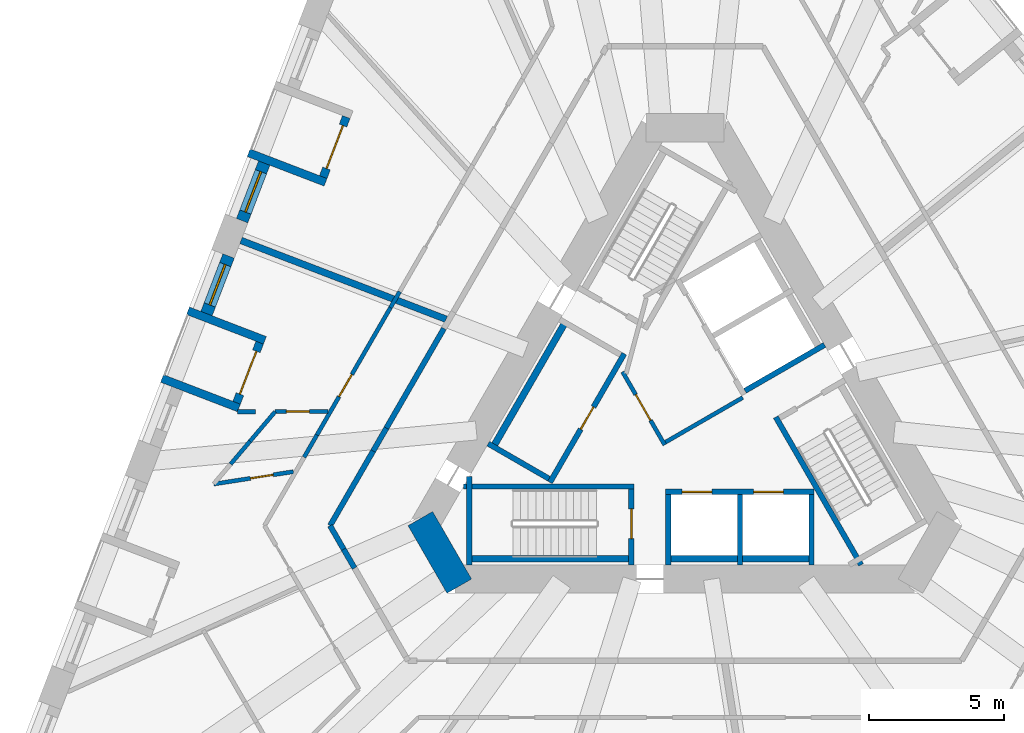
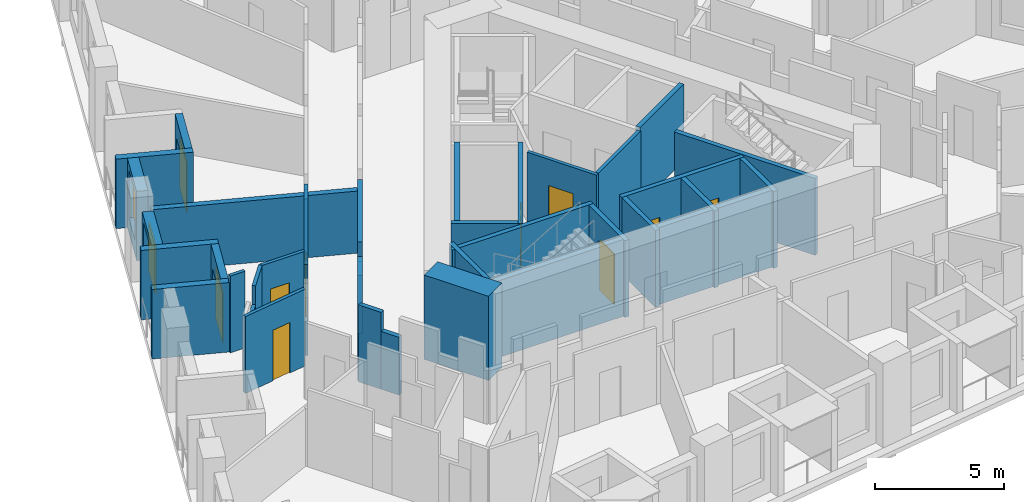
# One storey, part 4 of 14: 38 walls, 10 doors, 2 windows, 12 openings.
"""IFC4 building model written with IfcOpenShell, lengths in metres."""

from ifc_helpers import new_model, si_unit, direction, frame, frame_2d, origin, place, context, subcontext, project, spatial, rectangle, extrude, material, layer, layer_set, type_object, element, fill, save


model = new_model("IFC4")

# Units and contexts
model_context = context("Model", 3, precision=1e-05, world=origin(), true_north=direction((0.0, 1.0)))
body_context = subcontext(model_context, "Body", "Model", "MODEL_VIEW")
ifc_project = project(units=[si_unit("LENGTHUNIT", "METRE"), si_unit("AREAUNIT", "SQUARE_METRE"), si_unit("VOLUMEUNIT", "CUBIC_METRE"), si_unit("PLANEANGLEUNIT", "RADIAN"), si_unit("MASSUNIT", "GRAM", prefix="KILO")], contexts=[model_context])

# Site, building, storey
site_placement = place(None, origin())
site = spatial("IfcSite", under=ifc_project, at=site_placement, CompositionType="ELEMENT")
building_placement = place(site_placement, origin())
building = spatial("IfcBuilding", under=site, at=building_placement, Name="Tramontana Tower", CompositionType="ELEMENT")
storey_placement = place(building_placement, frame((0.0, 0.0, 55.199951171875)))
storey = spatial("IfcBuildingStorey", under=building, at=storey_placement, Name="L11", CompositionType="ELEMENT", Elevation=55.199951171875)

# Walls
ifc_material_1 = material(Name="Concrete 70 MPa", Category="concrete")
ifc_layer_1 = layer(ifc_material_1, 1.050048828125)
ifc_layer_set_1 = layer_set([ifc_layer_1], Name="Core wall 1050 70 MPa")
wall_type_1 = type_object("IfcWallType", Name="Core wall 1050 70 MPa", PredefinedType="SHEAR", material=ifc_layer_set_1)
wall_1_placement = place(storey_placement, frame((-9.793212890625, -3.987548828125, 0.0), z_axis=(0.0, 0.0, 1.0), x_axis=(0.499995765644, -0.866027848477, 0.0)))
element("IfcWall", 1, at=wall_1_placement, inside=storey, type_object=wall_type_1, Name="Core wall C2 L11", PredefinedType="SHEAR", context=body_context, shape_type="SweptSolid", body=[
    extrude(rectangle(XDim=2.88671875, YDim=1.050048828125, at=frame_2d((1.443359375, 0.0))), origin(), (0.0, 0.0, 1.0), 4.0),
])
ifc_material_2 = material(Name="Blockwork", Category="masonry")
ifc_layer_2 = layer(ifc_material_2, 0.199951171875)
ifc_layer_set_2 = layer_set([ifc_layer_2], Name="ENTRY WALL 200")
wall_type_2 = type_object("IfcWallType", Name="ENTRY WALL 200", PredefinedType="SOLIDWALL", material=ifc_layer_set_2)
wall_2_placement = place(storey_placement, frame((-12.228515625, -5.819580078125, 0.0), z_axis=(0.0, 0.0, 1.0), x_axis=(-0.499923776705, 0.866069406852, 0.0)))
element("IfcWall", 2, at=wall_2_placement, inside=storey, type_object=wall_type_2, Name="Wall v10-ew3-4", PredefinedType="SOLIDWALL", context=body_context, shape_type="SweptSolid", body=[
    extrude(rectangle(XDim=0.804931640625, YDim=0.199951171875, at=frame_2d((0.40234375, 0.0))), origin(), (0.0, 0.0, 1.0), 2.75),
])
wall_3_placement = place(storey_placement, frame((-12.630859375, -5.12255859375, 0.0), z_axis=(0.0, 0.0, 1.0), x_axis=(-0.500099969036, 0.865967678941, 0.0)))
element("IfcWall", 3, at=wall_3_placement, inside=storey, type_object=wall_type_2, Name="Wall v10-ew3-5", PredefinedType="SOLIDWALL", context=body_context, shape_type="SweptSolid", body=[
    extrude(rectangle(XDim=1.007568359375, YDim=0.199951171875, at=frame_2d((0.50390625, 0.0))), origin(), (0.0, 0.0, 1.0), 3.650146484375),
])
wall_4_placement = place(storey_placement, frame((-13.134765625, -4.25, 0.0), z_axis=(0.0, 0.0, 1.0), x_axis=(0.50003154259, 0.866007191896, 0.0)))
element("IfcWall", 4, at=wall_4_placement, inside=storey, type_object=wall_type_2, Name="Wall v10-ew4-0", PredefinedType="SOLIDWALL", context=body_context, shape_type="SweptSolid", body=[
    extrude(rectangle(XDim=3.190673828125, YDim=0.199951171875, at=frame_2d((1.59521484375, 0.0))), origin(), (0.0, 0.0, 1.0), 3.650146484375),
])
wall_5_placement = place(storey_placement, frame((-11.539306640625, -1.48681640625, 0.0), z_axis=(0.0, 0.0, 1.0), x_axis=(0.499966601515, 0.86604468555, 0.0)))
element("IfcWall", 5, at=wall_5_placement, inside=storey, type_object=wall_type_2, Name="Wall v10-ew4-1", PredefinedType="SOLIDWALL", context=body_context, shape_type="SweptSolid", body=[
    extrude(rectangle(XDim=0.98095703125, YDim=0.199951171875, at=frame_2d((0.490478515625, 0.0))), origin(), (0.0, 0.0, 1.0), 2.75),
])
wall_6_placement = place(storey_placement, frame((-11.048828125, -0.63720703125, 0.0), z_axis=(0.0, 0.0, 1.0), x_axis=(0.500000470374, 0.866025132214, 0.0)))
element("IfcWall", 6, at=wall_6_placement, inside=storey, type_object=wall_type_2, Name="Wall v10-ew4-2", PredefinedType="SOLIDWALL", context=body_context, shape_type="SweptSolid", body=[
    extrude(rectangle(XDim=4.2568359375, YDim=0.199951171875, at=frame_2d((2.12841796875, 0.0))), origin(), (0.0, 0.0, 1.0), 3.650146484375),
])

# Wall, opening, window
ifc_material_3 = material(Name="Precast concrete 60 MPa", Category="concrete")
ifc_layer_3 = layer(ifc_material_3, 0.449951171875)
ifc_layer_set_3 = layer_set([ifc_layer_3], Name="Precast concrete 60 MPa, 450 mm")
wall_type_3 = type_object("IfcWallType", Name="EW1 Stone-faced precast wall 450", PredefinedType="SOLIDWALL", material=ifc_layer_set_3)
wall_7_placement = place(storey_placement, frame((-15.572021484375, 9.1728515625, 0.0), z_axis=(0.0, 0.0, 1.0), x_axis=(-0.358355550725, -0.933585185864, 0.0)))
wall_7 = element("IfcWall", 7, at=wall_7_placement, inside=storey, type_object=wall_type_3, Name="External wall L11 face 0 bay 3", PredefinedType="SOLIDWALL", context=body_context, shape_type="SweptSolid", body=[
    extrude(rectangle(XDim=2.282958984375, YDim=0.449951171875, at=frame_2d((1.1416015625, 0.0))), origin(), (0.0, 0.0, 1.0), 3.300048828125),
])
opening_1_placement = place(wall_7_placement, frame((0.341552734375, 0.0, 0.699951171875)))
opening_1 = element("IfcOpeningElement", 8, at=opening_1_placement, cuts=wall_7, Name="Opening M1", PredefinedType="OPENING", context=body_context, shape_type="SweptSolid", body=[
    extrude(rectangle(XDim=1.60009765625, YDim=2.300048828125, at=frame_2d((0.800048828125, 1.14990234375))), frame((0.0, 0.23486328125, 0.0), z_axis=(0.0, -1.0, 0.0), x_axis=(1.0, 0.0, 0.0)), (0.0, 0.0, 1.0), 0.469970703125),
])
ifc_material_4 = material(Name="Aluminum frame, double glazing unit", Category="aluminium")
window_type = type_object("IfcWindowType", Name="M1 Window 1.6 x 2.3", PartitioningType="SINGLE_PANEL", PredefinedType="WINDOW", material=ifc_material_4)
window_1_placement = place(opening_1_placement, origin())
window_1 = element("IfcWindow", 9, at=window_1_placement, inside=storey, type_object=window_type, Name="Window M1 L11 face 0 module 9", OverallHeight=2.300048828125, OverallWidth=1.60009765625, PartitioningType="SINGLE_PANEL", PredefinedType="WINDOW", context=body_context, shape_type="SweptSolid", body=[
    extrude(rectangle(XDim=1.60009765625, YDim=2.300048828125, at=frame_2d((0.800048828125, 1.14990234375))), frame((0.0, 0.030029296875, 0.0), z_axis=(0.0, -1.0, 0.0), x_axis=(1.0, 0.0, 0.0)), (0.0, 0.0, 1.0), 0.06005859375),
])
fill(opening_1, window_1)

wall_8_placement = place(storey_placement, frame((-16.891845703125, 5.734375, 0.0), z_axis=(0.0, 0.0, 1.0), x_axis=(-0.358355550725, -0.933585185864, 0.0)))
wall_8 = element("IfcWall", 10, at=wall_8_placement, inside=storey, type_object=wall_type_3, Name="External wall L11 face 0 bay 4", PredefinedType="SOLIDWALL", context=body_context, shape_type="SweptSolid", body=[
    extrude(rectangle(XDim=2.282958984375, YDim=0.449951171875, at=frame_2d((1.1416015625, 0.0))), origin(), (0.0, 0.0, 1.0), 3.300048828125),
])
opening_2_placement = place(wall_8_placement, frame((0.341552734375, 0.0, 0.699951171875)))
opening_2 = element("IfcOpeningElement", 11, at=opening_2_placement, cuts=wall_8, Name="Opening M1", PredefinedType="OPENING", context=body_context, shape_type="SweptSolid", body=[
    extrude(rectangle(XDim=1.60009765625, YDim=2.300048828125, at=frame_2d((0.800048828125, 1.14990234375))), frame((0.0, 0.23486328125, 0.0), z_axis=(0.0, -1.0, 0.0), x_axis=(1.0, 0.0, 0.0)), (0.0, 0.0, 1.0), 0.469970703125),
])
window_2_placement = place(opening_2_placement, origin())
window_2 = element("IfcWindow", 12, at=window_2_placement, inside=storey, type_object=window_type, Name="Window M1 L11 face 0 module 10", OverallHeight=2.300048828125, OverallWidth=1.60009765625, PartitioningType="SINGLE_PANEL", PredefinedType="WINDOW", context=body_context, shape_type="SweptSolid", body=[
    extrude(rectangle(XDim=1.60009765625, YDim=2.300048828125, at=frame_2d((0.800048828125, 1.14990234375))), frame((0.0, 0.030029296875, 0.0), z_axis=(0.0, -1.0, 0.0), x_axis=(1.0, 0.0, 0.0)), (0.0, 0.0, 1.0), 0.06005859375),
])
fill(opening_2, window_2)

# Wall, opening, door
ifc_material_5 = material(Name="Precast concrete 60 MPa", Category="concrete")
ifc_layer_4 = layer(ifc_material_5, 0.300048828125)
ifc_layer_set_4 = layer_set([ifc_layer_4], Name="LW1 Stone-faced loggia wall 300")
wall_type_4 = type_object("IfcWallType", Name="LW1 Stone-faced loggia wall 300", PredefinedType="SOLIDWALL", material=ifc_layer_set_4)
wall_9_placement = place(storey_placement, frame((-12.533447265625, 10.880126953125, 0.0), z_axis=(0.0, 0.0, 1.0), x_axis=(-0.35838856932, -0.933572511046, 0.0)))
wall_9 = element("IfcWall", 13, at=wall_9_placement, inside=storey, type_object=wall_type_4, Name="Loggia wall L11 G1S0.7", PredefinedType="SOLIDWALL", context=body_context, shape_type="SweptSolid", body=[
    extrude(rectangle(XDim=2.3828125, YDim=0.300048828125, at=frame_2d((1.19140625, 0.0))), origin(), (0.0, 0.0, 1.0), 3.300048828125),
])
opening_3_placement = place(wall_9_placement, frame((0.341552734375, 0.0, 0.0)))
opening_3 = element("IfcOpeningElement", 14, at=opening_3_placement, cuts=wall_9, Name="Opening BD-1S0-07", PredefinedType="OPENING", context=body_context, shape_type="SweptSolid", body=[
    extrude(rectangle(XDim=1.699951171875, YDim=2.39990234375, at=frame_2d((0.85009765625, 1.199951171875))), frame((0.0, 0.159912109375, 0.0), z_axis=(0.0, -1.0, 0.0), x_axis=(1.0, 0.0, 0.0)), (0.0, 0.0, 1.0), 0.320068359375),
])
ifc_material_6 = material(Name="Aluminum frame, double glazing unit", Category="aluminium")
door_type_1 = type_object("IfcDoorType", Name="BD1 Sliding door 1.7 x 2.4", OperationType="SLIDING_TO_LEFT", PredefinedType="DOOR", material=ifc_material_6)
door_1_placement = place(opening_3_placement, origin())
door_1 = element("IfcDoor", 15, at=door_1_placement, inside=storey, type_object=door_type_1, Name="Loggia door L11 G1S0.7", OperationType="SLIDING_TO_LEFT", OverallHeight=2.39990234375, OverallWidth=1.699951171875, PredefinedType="DOOR", context=body_context, shape_type="SweptSolid", body=[
    extrude(rectangle(XDim=1.699951171875, YDim=2.39990234375, at=frame_2d((0.85009765625, 1.199951171875))), frame((0.0, 0.02490234375, 0.0), z_axis=(0.0, -1.0, 0.0), x_axis=(1.0, 0.0, 0.0)), (0.0, 0.0, 1.0), 0.050048828125),
])
fill(opening_3, door_1)

# Wall
wall_10_placement = place(storey_placement, frame((-16.1484375, 9.5546875, 0.0), z_axis=(0.0, 0.0, 1.0), x_axis=(0.933580593625, -0.358367514161, 0.0)))
element("IfcWall", 16, at=wall_10_placement, inside=storey, type_object=wall_type_4, Name="Loggia return L11 G1S0.7b", PredefinedType="SOLIDWALL", context=body_context, shape_type="SweptSolid", body=[
    extrude(rectangle(XDim=3.050048828125, YDim=0.300048828125, at=frame_2d((1.52490234375, 0.0))), origin(), (0.0, 0.0, 1.0), 3.300048828125),
])

# Wall, opening, door
wall_11_placement = place(storey_placement, frame((-15.740478515625, 2.525634765625, 0.0), z_axis=(0.0, 0.0, 1.0), x_axis=(-0.35829926872, -0.933606787697, 0.0)))
wall_11 = element("IfcWall", 17, at=wall_11_placement, inside=storey, type_object=wall_type_4, Name="Loggia wall L11 G1S0.10", PredefinedType="SOLIDWALL", context=body_context, shape_type="SweptSolid", body=[
    extrude(rectangle(XDim=2.3828125, YDim=0.300048828125, at=frame_2d((1.19140625, 0.0))), origin(), (0.0, 0.0, 1.0), 3.300048828125),
])
opening_4_placement = place(wall_11_placement, frame((0.341552734375, 0.0, 0.0)))
opening_4 = element("IfcOpeningElement", 18, at=opening_4_placement, cuts=wall_11, Name="Opening BD-1S0-10", PredefinedType="OPENING", context=body_context, shape_type="SweptSolid", body=[
    extrude(rectangle(XDim=1.699951171875, YDim=2.39990234375, at=frame_2d((0.85009765625, 1.199951171875))), frame((0.0, 0.159912109375, 0.0), z_axis=(0.0, -1.0, 0.0), x_axis=(1.0, 0.0, 0.0)), (0.0, 0.0, 1.0), 0.320068359375),
])
door_2_placement = place(opening_4_placement, origin())
door_2 = element("IfcDoor", 19, at=door_2_placement, inside=storey, type_object=door_type_1, Name="Loggia door L11 G1S0.10", OperationType="SLIDING_TO_LEFT", OverallHeight=2.39990234375, OverallWidth=1.699951171875, PredefinedType="DOOR", context=body_context, shape_type="SweptSolid", body=[
    extrude(rectangle(XDim=1.699951171875, YDim=2.39990234375, at=frame_2d((0.85009765625, 1.199951171875))), frame((0.0, 0.02490234375, 0.0), z_axis=(0.0, -1.0, 0.0), x_axis=(1.0, 0.0, 0.0)), (0.0, 0.0, 1.0), 0.050048828125),
])
fill(opening_4, door_2)

# Walls
for number, where, z_axis, x_axis, name in (
    (20, (-18.39404296875, 3.704833984375, 0.0), (0.0, 0.0, 1.0), (0.933580593625, -0.358367514161, 0.0), "Loggia return L11 G1S0.10a"),
    (21, (-19.35546875, 1.2001953125, 0.0), (0.0, 0.0, 1.0), (0.933580593625, -0.358367514161, 0.0), "Loggia return L11 G1S0.10b"),
):
    element("IfcWall", number, at=place(storey_placement, frame(where, z_axis=z_axis, x_axis=x_axis)), inside=storey, type_object=wall_type_4, Name=name, PredefinedType="SOLIDWALL", context=body_context, shape_type="SweptSolid", body=[
        extrude(rectangle(XDim=3.050048828125, YDim=0.300048828125, at=frame_2d((1.52490234375, 0.0))), origin(), (0.0, 0.0, 1.0), 3.300048828125),
    ])

# Wall, opening, door
ifc_material_7 = material(Name="Gypsum board partition")
ifc_layer_5 = layer(ifc_material_7, 0.14990234375)
ifc_layer_set_5 = layer_set([ifc_layer_5], Name="PARTITION 150")
wall_type_5 = type_object("IfcWallType", Name="PARTITION 150", PredefinedType="PARTITIONING", material=ifc_layer_set_5)
wall_12_placement = place(storey_placement, frame((-0.744140625, -1.260986328125, 0.0), z_axis=(0.0, 0.0, 1.0), x_axis=(-0.500004234368, 0.866022959057, 0.0)))
wall_12 = element("IfcWall", 22, at=wall_12_placement, inside=storey, type_object=wall_type_5, Name="Wall ff-front", PredefinedType="PARTITIONING", context=body_context, shape_type="SweptSolid", body=[
    extrude(rectangle(XDim=3.125, YDim=0.14990234375, at=frame_2d((1.5625, 0.0))), origin(), (0.0, 0.0, 1.0), 3.650146484375),
])
opening_5_placement = place(wall_12_placement, frame((1.050048828125, 0.0, 0.0)))
opening_5 = element("IfcOpeningElement", 23, at=opening_5_placement, cuts=wall_12, Name="Opening FD1", PredefinedType="OPENING", context=body_context, shape_type="SweptSolid", body=[
    extrude(rectangle(XDim=1.10009765625, YDim=2.39990234375, at=frame_2d((0.550048828125, 1.199951171875))), frame((0.0, 0.0849609375, 0.0), z_axis=(0.0, -1.0, 0.0), x_axis=(1.0, 0.0, 0.0)), (0.0, 0.0, 1.0), 0.169921875),
])
ifc_material_8 = material(Name="Painted timber", Category="wood")
door_type_2 = type_object("IfcDoorType", Name="DOOR ENTRY 1100", OperationType="SINGLE_SWING_LEFT", PredefinedType="DOOR", material=ifc_material_8)
door_3_placement = place(opening_5_placement, origin())
door_3 = element("IfcDoor", 24, at=door_3_placement, inside=storey, type_object=door_type_2, Name="Door FD1", OperationType="SINGLE_SWING_RIGHT", OverallHeight=2.39990234375, OverallWidth=1.10009765625, PredefinedType="DOOR", context=body_context, shape_type="SweptSolid", body=[
    extrude(rectangle(XDim=1.10009765625, YDim=2.39990234375, at=frame_2d((0.550048828125, 1.199951171875))), frame((0.0, 0.02490234375, 0.0), z_axis=(0.0, -1.0, 0.0), x_axis=(1.0, 0.0, 0.0)), (0.0, 0.0, 1.0), 0.050048828125),
])
fill(opening_5, door_3)

# Walls
wall_13_placement = place(storey_placement, frame((-0.716796875, -1.15869140625, 0.0), z_axis=(0.0, 0.0, 1.0), x_axis=(0.866008176907, 0.50002983664, 0.0)))
element("IfcWall", 25, at=wall_13_placement, inside=storey, type_object=wall_type_5, Name="Wall ff-end0", PredefinedType="PARTITIONING", context=body_context, shape_type="SweptSolid", body=[
    extrude(rectangle(XDim=3.300048828125, YDim=0.14990234375, at=frame_2d((1.64990234375, 0.0))), origin(), (0.0, 0.0, 1.0), 3.650146484375),
])
wall_14_placement = place(storey_placement, frame((-16.8154296875, -1.97021484375, 0.0), z_axis=(0.0, 0.0, 1.0), x_axis=(0.647233233989, 0.762292031193, 0.0)))
element("IfcWall", 26, at=wall_14_placement, inside=storey, type_object=wall_type_5, Name="Wall v10-pw01-1", PredefinedType="PARTITIONING", context=body_context, shape_type="SweptSolid", body=[
    extrude(rectangle(XDim=1.10986328125, YDim=0.14990234375, at=frame_2d((0.554931640625, 0.0))), origin(), (0.0, 0.0, 1.0), 2.75),
])
wall_15_placement = place(storey_placement, frame((-16.09716796875, -1.124267578125, 0.0), z_axis=(0.0, 0.0, 1.0), x_axis=(0.647268122874, 0.762262406991, 0.0)))
element("IfcWall", 27, at=wall_15_placement, inside=storey, type_object=wall_type_5, Name="Wall v10-pw01-2", PredefinedType="PARTITIONING", context=body_context, shape_type="SweptSolid", body=[
    extrude(rectangle(XDim=1.435302734375, YDim=0.14990234375, at=frame_2d((0.7177734375, 0.0))), origin(), (0.0, 0.0, 1.0), 3.650146484375),
])

# Wall, opening, door
wall_16_placement = place(storey_placement, frame((-17.434814453125, -2.707763671875, 0.0), z_axis=(0.0, 0.0, 1.0), x_axis=(0.988146894604, 0.153511285203, 0.0)))
wall_16 = element("IfcWall", 28, at=wall_16_placement, inside=storey, type_object=wall_type_5, Name="Wall v10-pw02", PredefinedType="PARTITIONING", context=body_context, shape_type="SweptSolid", body=[
    extrude(rectangle(XDim=2.977294921875, YDim=0.14990234375, at=frame_2d((1.48876953125, 0.0))), origin(), (0.0, 0.0, 1.0), 3.650146484375),
])
opening_6_placement = place(wall_16_placement, frame((1.3701171875, 0.0, 0.0)))
opening_6 = element("IfcOpeningElement", 29, at=opening_6_placement, cuts=wall_16, Name="Opening B1A-17", PredefinedType="OPENING", context=body_context, shape_type="SweptSolid", body=[
    extrude(rectangle(XDim=0.85009765625, YDim=2.39990234375, at=frame_2d((0.425048828125, 1.199951171875))), frame((0.0, 0.0849609375, 0.0), z_axis=(0.0, -1.0, 0.0), x_axis=(1.0, 0.0, 0.0)), (0.0, 0.0, 1.0), 0.169921875),
])
ifc_material_9 = material(Name="Painted timber", Category="wood")
door_type_3 = type_object("IfcDoorType", Name="DOOR BATH 850", OperationType="SINGLE_SWING_LEFT", PredefinedType="DOOR", material=ifc_material_9)
door_4_placement = place(opening_6_placement, origin())
door_4 = element("IfcDoor", 30, at=door_4_placement, inside=storey, type_object=door_type_3, Name="Door B1A-17", OperationType="SINGLE_SWING_LEFT", OverallHeight=2.39990234375, OverallWidth=0.85009765625, PredefinedType="DOOR", context=body_context, shape_type="SweptSolid", body=[
    extrude(rectangle(XDim=0.85009765625, YDim=2.39990234375, at=frame_2d((0.425048828125, 1.199951171875))), frame((0.0, 0.02490234375, 0.0), z_axis=(0.0, -1.0, 0.0), x_axis=(1.0, 0.0, 0.0)), (0.0, 0.0, 1.0), 0.050048828125),
])
fill(opening_6, door_4)

# Wall
wall_17_placement = place(storey_placement, frame((-16.561767578125, -0.032958984375, 0.0), z_axis=(0.0, 0.0, 1.0), x_axis=(0.999997583071, 0.002198602235, 0.0)))
element("IfcWall", 31, at=wall_17_placement, inside=storey, type_object=wall_type_5, Name="Wall v10-pw03", PredefinedType="PARTITIONING", context=body_context, shape_type="SweptSolid", body=[
    extrude(rectangle(XDim=0.666259765625, YDim=0.14990234375, at=frame_2d((0.3330078125, 0.0))), origin(), (0.0, 0.0, 1.0), 3.650146484375),
])

# Wall, opening, door
wall_18_placement = place(storey_placement, frame((-13.207763671875, -0.0263671875, 0.0), z_axis=(0.0, 0.0, 1.0), x_axis=(-0.999998014427, -0.00199277223, 0.0)))
wall_18 = element("IfcWall", 32, at=wall_18_placement, inside=storey, type_object=wall_type_5, Name="Wall v10-pw04", PredefinedType="PARTITIONING", context=body_context, shape_type="SweptSolid", body=[
    extrude(rectangle(XDim=1.960205078125, YDim=0.14990234375, at=frame_2d((0.97998046875, 0.0))), origin(), (0.0, 0.0, 1.0), 3.650146484375),
])
opening_7_placement = place(wall_18_placement, frame((0.6904296875, 0.0, 0.0)))
opening_7 = element("IfcOpeningElement", 33, at=opening_7_placement, cuts=wall_18, Name="Opening B1A-18", PredefinedType="OPENING", context=body_context, shape_type="SweptSolid", body=[
    extrude(rectangle(XDim=0.85009765625, YDim=2.39990234375, at=frame_2d((0.425048828125, 1.199951171875))), frame((0.0, 0.0849609375, 0.0), z_axis=(0.0, -1.0, 0.0), x_axis=(1.0, 0.0, 0.0)), (0.0, 0.0, 1.0), 0.169921875),
])
door_5_placement = place(opening_7_placement, origin())
door_5 = element("IfcDoor", 34, at=door_5_placement, inside=storey, type_object=door_type_3, Name="Door B1A-18", OperationType="SINGLE_SWING_RIGHT", OverallHeight=2.39990234375, OverallWidth=0.85009765625, PredefinedType="DOOR", context=body_context, shape_type="SweptSolid", body=[
    extrude(rectangle(XDim=0.85009765625, YDim=2.39990234375, at=frame_2d((0.425048828125, 1.199951171875))), frame((0.0, 0.02490234375, 0.0), z_axis=(0.0, -1.0, 0.0), x_axis=(1.0, 0.0, 0.0)), (0.0, 0.0, 1.0), 0.050048828125),
])
fill(opening_7, door_5)

# Wall
wall_19_placement = place(storey_placement, frame((-10.557373046875, 4.4140625, 0.0), z_axis=(0.0, 0.0, 1.0), x_axis=(-0.500134748329, -0.865947592822, 0.0)))
element("IfcWall", 35, at=wall_19_placement, inside=storey, type_object=wall_type_5, Name="Wall v10-pw16-5", PredefinedType="PARTITIONING", context=body_context, shape_type="SweptSolid", body=[
    extrude(rectangle(XDim=0.683349609375, YDim=0.14990234375, at=frame_2d((0.341796875, 0.0))), origin(), (0.0, 0.0, 1.0), 2.949951171875),
])

# Wall, opening, door
wall_20_placement = place(storey_placement, frame((-13.62060546875, -0.8916015625, 0.0), z_axis=(0.0, 0.0, 1.0), x_axis=(0.499983886315, 0.866034706825, 0.0)))
wall_20 = element("IfcWall", 36, at=wall_20_placement, inside=storey, type_object=wall_type_5, Name="Wall v10-pw16-6", PredefinedType="PARTITIONING", context=body_context, shape_type="SweptSolid", body=[
    extrude(rectangle(XDim=5.443115234375, YDim=0.14990234375, at=frame_2d((2.7216796875, 0.0))), origin(), (0.0, 0.0, 1.0), 3.650146484375),
])
opening_8_placement = place(wall_20_placement, frame((1.639404296875, 0.0, 0.0)))
opening_8 = element("IfcOpeningElement", 37, at=opening_8_placement, cuts=wall_20, Name="Opening B1A-14", PredefinedType="OPENING", context=body_context, shape_type="SweptSolid", body=[
    extrude(rectangle(XDim=0.949951171875, YDim=2.39990234375, at=frame_2d((0.47509765625, 1.199951171875))), frame((0.0, 0.0849609375, 0.0), z_axis=(0.0, -1.0, 0.0), x_axis=(1.0, 0.0, 0.0)), (0.0, 0.0, 1.0), 0.169921875),
])
ifc_material_10 = material(Name="Painted timber", Category="wood")
door_type_4 = type_object("IfcDoorType", Name="DOOR ROOM 950", OperationType="SINGLE_SWING_LEFT", PredefinedType="DOOR", material=ifc_material_10)
door_6_placement = place(opening_8_placement, origin())
door_6 = element("IfcDoor", 38, at=door_6_placement, inside=storey, type_object=door_type_4, Name="Door B1A-14", OperationType="SINGLE_SWING_RIGHT", OverallHeight=2.39990234375, OverallWidth=0.949951171875, PredefinedType="DOOR", context=body_context, shape_type="SweptSolid", body=[
    extrude(rectangle(XDim=0.949951171875, YDim=2.39990234375, at=frame_2d((0.47509765625, 1.199951171875))), frame((0.0, 0.02490234375, 0.0), z_axis=(0.0, -1.0, 0.0), x_axis=(1.0, 0.0, 0.0)), (0.0, 0.0, 1.0), 0.050048828125),
])
fill(opening_8, door_6)

# Walls
wall_21_placement = place(storey_placement, frame((-13.62060546875, -0.8916015625, 0.0), z_axis=(0.0, 0.0, 1.0), x_axis=(-0.499952260202, -0.866052964615, 0.0)))
element("IfcWall", 39, at=wall_21_placement, inside=storey, type_object=wall_type_5, Name="Wall v10-pw16-7", PredefinedType="PARTITIONING", context=body_context, shape_type="SweptSolid", body=[
    extrude(rectangle(XDim=0.9501953125, YDim=0.14990234375, at=frame_2d((0.47509765625, 0.0))), origin(), (0.0, 0.0, 1.0), 2.75),
])
ifc_material_11 = material(Name="Blockwork", Category="masonry")
ifc_layer_6 = layer(ifc_material_11, 0.25)
ifc_layer_set_6 = layer_set([ifc_layer_6], Name="PARTY WALL 250")
wall_type_6 = type_object("IfcWallType", Name="PARTY WALL 250", PredefinedType="SOLIDWALL", material=ifc_layer_set_6)
wall_22_placement = place(storey_placement, frame((-8.837890625, 3.392578125, 0.0), z_axis=(0.0, 0.0, 1.0), x_axis=(-0.933575960916, 0.358379582566, 0.0)))
element("IfcWall", 40, at=wall_22_placement, inside=storey, type_object=wall_type_6, Name="Wall v10-pw10-0", PredefinedType="SOLIDWALL", context=body_context, shape_type="SweptSolid", body=[
    extrude(rectangle(XDim=8.13330078125, YDim=0.25, at=frame_2d((4.066650390625, 0.0))), origin(), (0.0, 0.0, 1.0), 2.949951171875),
])
ifc_material_12 = material(Name="Concrete 70 MPa", Category="concrete")
ifc_layer_7 = layer(ifc_material_12, 0.25)
ifc_layer_set_7 = layer_set([ifc_layer_7], Name="Concrete 70 MPa, 250 mm")
wall_type_7 = type_object("IfcWallType", Name="RC SHAFT BACK WALL 250", PredefinedType="SOLIDWALL", material=ifc_layer_set_7)
wall_23_placement = place(storey_placement, frame((-8.080078125, -5.47509765625, 0.0), z_axis=(0.0, 0.0, 1.0), x_axis=(1.0, 0.0, 0.0)))
element("IfcWall", 41, at=wall_23_placement, inside=storey, type_object=wall_type_7, Name="Wall st2-back", PredefinedType="SOLIDWALL", context=body_context, shape_type="SweptSolid", body=[
    extrude(rectangle(XDim=6.2001953125, YDim=0.25, at=frame_2d((3.10009765625, 0.0))), origin(), (0.0, 0.0, 1.0), 3.650146484375),
])
wall_24_placement = place(storey_placement, frame((-4.386474609375, 3.352294921875, 0.0), z_axis=(0.0, 0.0, 1.0), x_axis=(-0.500015767406, -0.866016300277, 0.0)))
element("IfcWall", 42, at=wall_24_placement, inside=storey, type_object=wall_type_7, Name="Wall row0-back", PredefinedType="SOLIDWALL", context=body_context, shape_type="SweptSolid", body=[
    extrude(rectangle(XDim=5.499755859375, YDim=0.25, at=frame_2d((2.75, 0.0))), origin(), (0.0, 0.0, 1.0), 3.650146484375),
])
wall_25_placement = place(storey_placement, frame((-0.7099609375, -5.47509765625, 0.0), z_axis=(0.0, 0.0, 1.0), x_axis=(1.0, 0.0, 0.0)))
element("IfcWall", 43, at=wall_25_placement, inside=storey, type_object=wall_type_7, Name="Wall row1-back", PredefinedType="SOLIDWALL", context=body_context, shape_type="SweptSolid", body=[
    extrude(rectangle(XDim=5.5, YDim=0.25, at=frame_2d((2.75, 0.0))), origin(), (0.0, 0.0, 1.0), 3.650146484375),
])
ifc_material_13 = material(Name="Concrete 70 MPa", Category="concrete")
ifc_layer_8 = layer(ifc_material_13, 0.199951171875)
ifc_layer_set_8 = layer_set([ifc_layer_8], Name="Concrete 70 MPa, 200 mm")
wall_type_8 = type_object("IfcWallType", Name="RC STAIR AND SHAFT WALL 200", PredefinedType="SOLIDWALL", material=ifc_layer_set_8)
wall_26_placement = place(storey_placement, frame((-8.198486328125, -2.800048828125, 0.0), z_axis=(0.0, 0.0, 1.0), x_axis=(1.0, 0.0, 0.0)))
element("IfcWall", 44, at=wall_26_placement, inside=storey, type_object=wall_type_8, Name="Wall st2-front", PredefinedType="SOLIDWALL", context=body_context, shape_type="SweptSolid", body=[
    extrude(rectangle(XDim=6.318603515625, YDim=0.199951171875, at=frame_2d((3.1591796875, 0.0))), origin(), (0.0, 0.0, 1.0), 3.650146484375),
])
wall_27_placement = place(storey_placement, frame((-7.97998046875, -2.421875, 0.0), z_axis=(0.0, 0.0, 1.0), x_axis=(0.0, -1.0, 0.0)))
element("IfcWall", 45, at=wall_27_placement, inside=storey, type_object=wall_type_8, Name="Wall st2-far", PredefinedType="SOLIDWALL", context=body_context, shape_type="SweptSolid", body=[
    extrude(rectangle(XDim=3.278076171875, YDim=0.199951171875, at=frame_2d((1.63916015625, 0.0))), origin(), (0.0, 0.0, 1.0), 3.650146484375),
])

# Wall, opening, door
wall_28_placement = place(storey_placement, frame((-1.97998046875, -2.89990234375, 0.0), z_axis=(0.0, 0.0, 1.0), x_axis=(0.0, -1.0, 0.0)))
wall_28 = element("IfcWall", 46, at=wall_28_placement, inside=storey, type_object=wall_type_8, Name="Wall st2-near", PredefinedType="SOLIDWALL", context=body_context, shape_type="SweptSolid", body=[
    extrude(rectangle(XDim=2.800048828125, YDim=0.199951171875, at=frame_2d((1.39990234375, 0.0))), origin(), (0.0, 0.0, 1.0), 3.650146484375),
])
opening_9_placement = place(wall_28_placement, frame((0.72509765625, 0.0, 0.0)))
opening_9 = element("IfcOpeningElement", 47, at=opening_9_placement, cuts=wall_28, Name="Opening SD2", PredefinedType="OPENING", context=body_context, shape_type="SweptSolid", body=[
    extrude(rectangle(XDim=1.10009765625, YDim=2.39990234375, at=frame_2d((0.550048828125, 1.199951171875))), frame((0.0, 0.10986328125, 0.0), z_axis=(0.0, -1.0, 0.0), x_axis=(1.0, 0.0, 0.0)), (0.0, 0.0, 1.0), 0.219970703125),
])
ifc_material_14 = material(Name="Painted steel", Category="steel")
door_type_5 = type_object("IfcDoorType", Name="STAIR DOOR 1100", OperationType="SINGLE_SWING_LEFT", PredefinedType="DOOR", material=ifc_material_14)
door_7_placement = place(opening_9_placement, origin())
door_7 = element("IfcDoor", 48, at=door_7_placement, inside=storey, type_object=door_type_5, Name="Door SD2", OperationType="SINGLE_SWING_LEFT", OverallHeight=2.39990234375, OverallWidth=1.10009765625, PredefinedType="DOOR", context=body_context, shape_type="SweptSolid", body=[
    extrude(rectangle(XDim=1.10009765625, YDim=2.39990234375, at=frame_2d((0.550048828125, 1.199951171875))), frame((0.0, 0.02490234375, 0.0), z_axis=(0.0, -1.0, 0.0), x_axis=(1.0, 0.0, 0.0)), (0.0, 0.0, 1.0), 0.050048828125),
])
fill(opening_9, door_7)

# Wall
wall_29_placement = place(storey_placement, frame((6.524169921875, -5.699951171875, 0.0), z_axis=(0.0, 0.0, 1.0), x_axis=(-0.499995607161, 0.866027939976, 0.0)))
element("IfcWall", 49, at=wall_29_placement, inside=storey, type_object=wall_type_8, Name="Wall st3-front", PredefinedType="SOLIDWALL", context=body_context, shape_type="SweptSolid", body=[
    extrude(rectangle(XDim=6.318359375, YDim=0.199951171875, at=frame_2d((3.1591796875, 0.0))), origin(), (0.0, 0.0, 1.0), 3.650146484375),
])

# Wall, opening, door
wall_30_placement = place(storey_placement, frame((-4.9931640625, -2.648193359375, 0.0), z_axis=(0.0, 0.0, 1.0), x_axis=(0.499996545922, 0.866027397988, 0.0)))
wall_30 = element("IfcWall", 50, at=wall_30_placement, inside=storey, type_object=wall_type_8, Name="Wall row0-front", PredefinedType="SOLIDWALL", context=body_context, shape_type="SweptSolid", body=[
    extrude(rectangle(XDim=5.5, YDim=0.199951171875, at=frame_2d((2.75, 0.0))), origin(), (0.0, 0.0, 1.0), 3.650146484375),
])
opening_10_placement = place(wall_30_placement, frame((2.27490234375, 0.0, 0.0)))
opening_10 = element("IfcOpeningElement", 51, at=opening_10_placement, cuts=wall_30, Name="Opening RD-0", PredefinedType="OPENING", context=body_context, shape_type="SweptSolid", body=[
    extrude(rectangle(XDim=0.949951171875, YDim=2.39990234375, at=frame_2d((0.47509765625, 1.199951171875))), frame((0.0, 0.10986328125, 0.0), z_axis=(0.0, -1.0, 0.0), x_axis=(1.0, 0.0, 0.0)), (0.0, 0.0, 1.0), 0.219970703125),
])
door_8_placement = place(opening_10_placement, origin())
door_8 = element("IfcDoor", 52, at=door_8_placement, inside=storey, type_object=door_type_4, Name="Door RD-0", OperationType="SINGLE_SWING_LEFT", OverallHeight=2.39990234375, OverallWidth=0.949951171875, PredefinedType="DOOR", context=body_context, shape_type="SweptSolid", body=[
    extrude(rectangle(XDim=0.949951171875, YDim=2.39990234375, at=frame_2d((0.47509765625, 1.199951171875))), frame((0.0, 0.02490234375, 0.0), z_axis=(0.0, -1.0, 0.0), x_axis=(1.0, 0.0, 0.0)), (0.0, 0.0, 1.0), 0.050048828125),
])
fill(opening_10, door_8)

# Wall
wall_31_placement = place(storey_placement, frame((-5.02978515625, -2.51171875, 0.0), z_axis=(0.0, 0.0, 1.0), x_axis=(-0.865997922154, 0.500047596559, 0.0)))
element("IfcWall", 53, at=wall_31_placement, inside=storey, type_object=wall_type_8, Name="Wall row0-side2", PredefinedType="SOLIDWALL", context=body_context, shape_type="SweptSolid", body=[
    extrude(rectangle(XDim=2.599853515625, YDim=0.199951171875, at=frame_2d((1.2998046875, 0.0))), origin(), (0.0, 0.0, 1.0), 3.650146484375),
])

# Wall, openings, doors
wall_32_placement = place(storey_placement, frame((-0.7099609375, -3.0, 0.0), z_axis=(0.0, 0.0, 1.0), x_axis=(1.0, 0.0, 0.0)))
wall_32 = element("IfcWall", 54, at=wall_32_placement, inside=storey, type_object=wall_type_8, Name="Wall row1-front", PredefinedType="SOLIDWALL", context=body_context, shape_type="SweptSolid", body=[
    extrude(rectangle(XDim=5.5, YDim=0.199951171875, at=frame_2d((2.75, 0.0))), origin(), (0.0, 0.0, 1.0), 3.650146484375),
])
opening_11_placement = place(wall_32_placement, frame((0.610107421875, 0.0, 0.0)))
opening_11 = element("IfcOpeningElement", 55, at=opening_11_placement, cuts=wall_32, Name="Opening LD-S1", PredefinedType="OPENING", context=body_context, shape_type="SweptSolid", body=[
    extrude(rectangle(XDim=1.10009765625, YDim=2.10009765625, at=frame_2d((0.550048828125, 1.050048828125))), frame((0.0, 0.10986328125, 0.0), z_axis=(0.0, -1.0, 0.0), x_axis=(1.0, 0.0, 0.0)), (0.0, 0.0, 1.0), 0.219970703125),
])
opening_12_placement = place(wall_32_placement, frame((3.260009765625, 0.0, 0.0)))
opening_12 = element("IfcOpeningElement", 56, at=opening_12_placement, cuts=wall_32, Name="Opening LD-S2", PredefinedType="OPENING", context=body_context, shape_type="SweptSolid", body=[
    extrude(rectangle(XDim=1.10009765625, YDim=2.10009765625, at=frame_2d((0.550048828125, 1.050048828125))), frame((0.0, 0.10986328125, 0.0), z_axis=(0.0, -1.0, 0.0), x_axis=(1.0, 0.0, 0.0)), (0.0, 0.0, 1.0), 0.219970703125),
])
ifc_material_15 = material(Name="Brushed steel", Category="steel")
door_type_6 = type_object("IfcDoorType", Name="LANDING DOOR 1100", OperationType="SINGLE_SWING_LEFT", PredefinedType="DOOR", material=ifc_material_15)
door_9_placement = place(opening_11_placement, origin())
door_9 = element("IfcDoor", 57, at=door_9_placement, inside=storey, type_object=door_type_6, Name="Door LD-S1", OperationType="SLIDING_TO_RIGHT", OverallHeight=2.10009765625, OverallWidth=1.10009765625, PredefinedType="DOOR", context=body_context, shape_type="SweptSolid", body=[
    extrude(rectangle(XDim=1.10009765625, YDim=2.10009765625, at=frame_2d((0.550048828125, 1.050048828125))), frame((0.0, 0.02490234375, 0.0), z_axis=(0.0, -1.0, 0.0), x_axis=(1.0, 0.0, 0.0)), (0.0, 0.0, 1.0), 0.050048828125),
])
fill(opening_11, door_9)
door_10_placement = place(opening_12_placement, origin())
door_10 = element("IfcDoor", 58, at=door_10_placement, inside=storey, type_object=door_type_6, Name="Door LD-S2", OperationType="SLIDING_TO_LEFT", OverallHeight=2.10009765625, OverallWidth=1.10009765625, PredefinedType="DOOR", context=body_context, shape_type="SweptSolid", body=[
    extrude(rectangle(XDim=1.10009765625, YDim=2.10009765625, at=frame_2d((0.550048828125, 1.050048828125))), frame((0.0, 0.02490234375, 0.0), z_axis=(0.0, -1.0, 0.0), x_axis=(1.0, 0.0, 0.0)), (0.0, 0.0, 1.0), 0.050048828125),
])
fill(opening_12, door_10)

# Walls
for number, where, z_axis, x_axis, name in (
    (59, (-0.610107421875, -3.10009765625, 0.0), (0.0, 0.0, 1.0), (0.0, -1.0, 0.0), "Wall row1-side0"),
    (60, (2.0400390625, -3.10009765625, 0.0), (0.0, 0.0, 1.0), (0.0, -1.0, 0.0), "Wall row1-side1"),
    (61, (4.68994140625, -3.10009765625, 0.0), (0.0, 0.0, 1.0), (0.0, -1.0, 0.0), "Wall row1-side2"),
):
    element("IfcWall", number, at=place(storey_placement, frame(where, z_axis=z_axis, x_axis=x_axis)), inside=storey, type_object=wall_type_8, Name=name, PredefinedType="SOLIDWALL", context=body_context, shape_type="SweptSolid", body=[
        extrude(rectangle(XDim=2.599853515625, YDim=0.199951171875, at=frame_2d((1.2998046875, 0.0))), origin(), (0.0, 0.0, 1.0), 3.650146484375),
    ])
wall_33_placement = place(storey_placement, frame((2.226806640625, 0.742919921875, 0.0), z_axis=(0.0, 0.0, 1.0), x_axis=(0.866038511948, 0.499977295307, 0.0)))
element("IfcWall", 62, at=wall_33_placement, inside=storey, type_object=wall_type_8, Name="Wall row2-side0", PredefinedType="SOLIDWALL", context=body_context, shape_type="SweptSolid", body=[
    extrude(rectangle(XDim=3.400146484375, YDim=0.199951171875, at=frame_2d((1.7001953125, 0.0))), origin(), (0.0, 0.0, 1.0), 3.650146484375),
])

save(model, "model.ifc")
